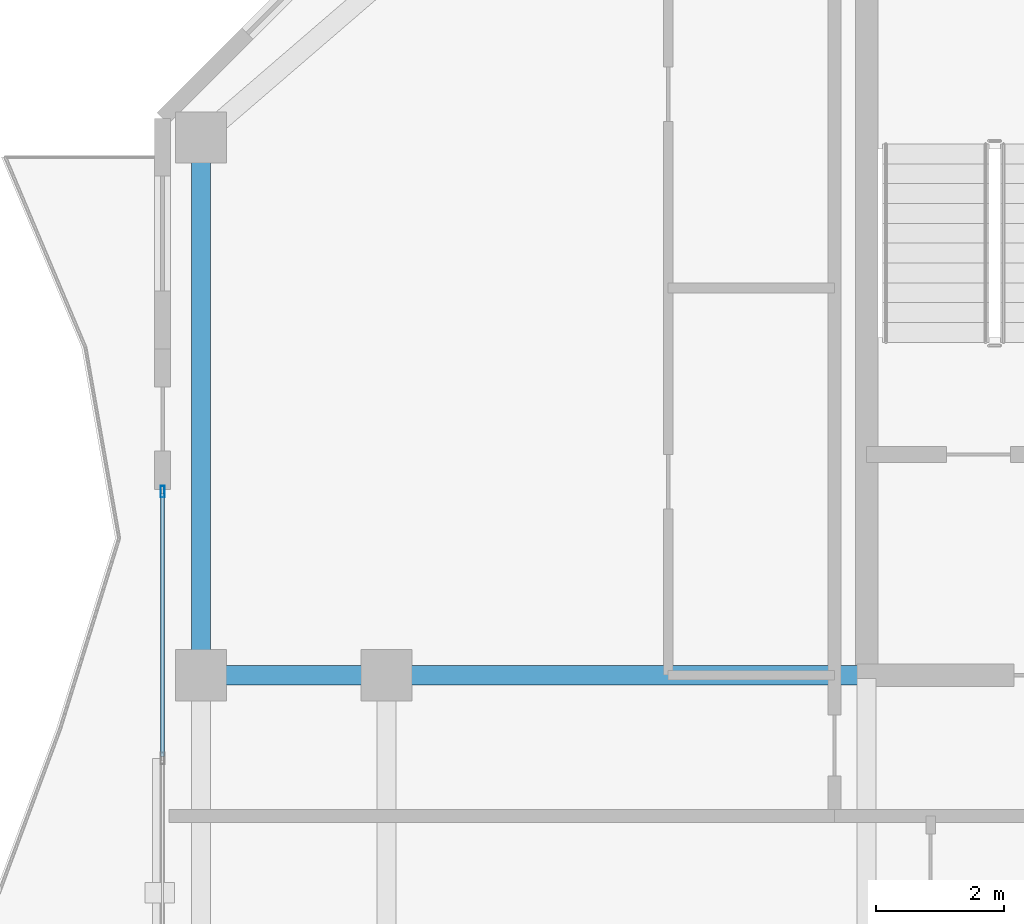
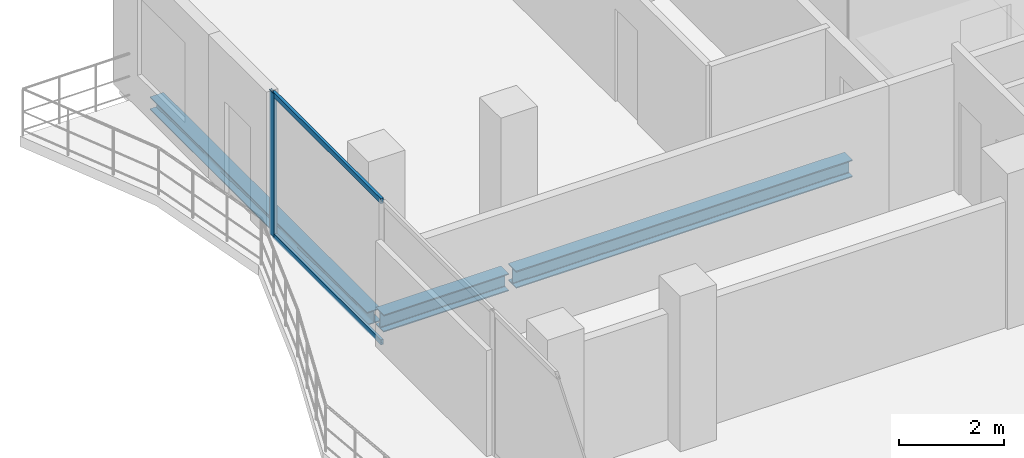
# One storey, part 9 of 23: 3 beams, 3 members, 1 element without a shape of its own.
"""IFC4 building model written with IfcOpenShell, lengths in metres."""

from ifc_helpers import new_model, si_unit, direction, frame, origin, origin_2d, place, context, subcontext, project, spatial, hollow_rectangle, i_section, extrude, material, layer, layer_set, material_profile, profile_set, type_object, element, aggregate, save


model = new_model("IFC4")

# Units and contexts
model_context = context("Model", 3, precision=1e-05, world=origin(), true_north=direction((0.0, 1.0)))
body_context = subcontext(model_context, "Body", "Model", "MODEL_VIEW")
ifc_project = project(units=[si_unit("LENGTHUNIT", "METRE"), si_unit("AREAUNIT", "SQUARE_METRE"), si_unit("VOLUMEUNIT", "CUBIC_METRE"), si_unit("PLANEANGLEUNIT", "RADIAN"), si_unit("MASSUNIT", "GRAM", prefix="KILO")], contexts=[model_context])

# Site, building, storey
site_placement = place(None, origin())
site = spatial("IfcSite", under=ifc_project, at=site_placement, CompositionType="ELEMENT")
building_placement = place(site_placement, origin())
building = spatial("IfcBuilding", under=site, at=building_placement, Name="Catumbela Crestline Tower", CompositionType="ELEMENT")
storey_placement = place(building_placement, frame((0.0, 0.0, 179.4)))
storey = spatial("IfcBuildingStorey", under=building, at=storey_placement, Name="L46", CompositionType="ELEMENT", Elevation=179.4)

# Beams
ifc_material_1 = material(Name="Structural steel S355J2", Category="steel")
ifc_material_profile_1 = material_profile(ifc_material_1, i_section(OverallWidth=0.3, OverallDepth=0.4, WebThickness=0.0135, FlangeThickness=0.024, FilletRadius=0.027, at=origin_2d()), Name="HEB 400")
ifc_profile_set_1 = profile_set([ifc_material_profile_1], Name="Structural steel S355J2")
beam_type_1 = type_object("IfcBeamType", Name="BG-HEB400", PredefinedType="BEAM", material=ifc_profile_set_1)
beam_1_placement = place(storey_placement, frame((5.68, 30.8, -0.46), z_axis=(1.0, 0.0, 0.0), x_axis=(0.0, 1.0, 0.0)))
element("IfcBeam", 1, at=beam_1_placement, inside=storey, type_object=beam_type_1, Name="L46 Beam BM-L46-M06", PredefinedType="BEAM", context=body_context, shape_type="SweptSolid", body=[
    extrude(i_section(OverallWidth=0.3, OverallDepth=0.4, WebThickness=0.0135, FlangeThickness=0.024, FilletRadius=0.027, at=origin_2d()), origin(), (0.0, 0.0, 1.0), 2.74),
])
beam_2_placement = place(storey_placement, frame((8.58, 30.8, -0.46), z_axis=(1.0, 0.0, 0.0), x_axis=(0.0, 1.0, 0.0)))
element("IfcBeam", 2, at=beam_2_placement, inside=storey, type_object=beam_type_1, Name="L46 Beam BM-L46-M07", PredefinedType="BEAM", context=body_context, shape_type="SweptSolid", body=[
    extrude(i_section(OverallWidth=0.3, OverallDepth=0.4, WebThickness=0.0135, FlangeThickness=0.024, FilletRadius=0.027, at=origin_2d()), origin(), (0.0, 0.0, 1.0), 7.37),
])

# Curtain wall, member
ifc_material_2 = material(Name="Aluminium alloy AW-6060-T66", Category="aluminium")
ifc_layer = layer(ifc_material_2, 0.18, Name="Aluminium alloy AW-6060-T66")
ifc_layer_set = layer_set([ifc_layer], Name="Aluminium alloy AW-6060-T66")
curtain_wall_type = type_object("IfcCurtainWallType", Name="CWU-Z3", PredefinedType="USERDEFINED", material=ifc_layer_set)
curtain_wall_placement = place(storey_placement, origin())
curtain_wall = element("IfcCurtainWall", 3, at=curtain_wall_placement, inside=storey, type_object=curtain_wall_type, Name="L46 Unitised Curtain Wall CW-L46-E9S2", ObjectType="UNITISED", PredefinedType="USERDEFINED")
ifc_material_profile_2 = material_profile(ifc_material_2, hollow_rectangle(XDim=0.065, YDim=0.18, WallThickness=0.004, at=origin_2d()), Name="ALU 180x65x4")
ifc_profile_set_2 = profile_set([ifc_material_profile_2], Name="Aluminium alloy AW-6060-T66")
member_type_1 = type_object("IfcMemberType", Name="MUL-180X65", PredefinedType="MULLION", material=ifc_profile_set_2)
member_1_placement = place(storey_placement, frame((5.0, 33.6675, 0.0), z_axis=(0.0, 0.0, 1.0), x_axis=(1.0, 0.0, 0.0)))
member_1 = element("IfcMember", 4, at=member_1_placement, type_object=member_type_1, Name="CWU-Z3 mullion 1", PredefinedType="MULLION", context=body_context, shape_type="SweptSolid", body=[
    extrude(hollow_rectangle(XDim=0.065, YDim=0.18, WallThickness=0.004, at=origin_2d()), origin(), (0.0, 0.0, 1.0), 3.33),
])

# Beam
ifc_material_profile_3 = material_profile(ifc_material_1, i_section(OverallWidth=0.3, OverallDepth=0.3, WebThickness=0.011, FlangeThickness=0.019, FilletRadius=0.027, at=origin_2d()), Name="HEB 300")
ifc_profile_set_3 = profile_set([ifc_material_profile_3], Name="Structural steel S355J2")
beam_type_2 = type_object("IfcBeamType", Name="BS-HEB300", PredefinedType="SPANDREL", material=ifc_profile_set_3)
beam_3_placement = place(storey_placement, frame((5.6, 30.88, -0.41), z_axis=(0.0, 1.0, 0.0), x_axis=(-1.0, 0.0, 0.0)))
element("IfcBeam", 5, at=beam_3_placement, inside=storey, type_object=beam_type_2, Name="L46 Spandrel SP-L46-SN15", PredefinedType="SPANDREL", context=body_context, shape_type="SweptSolid", body=[
    extrude(i_section(OverallWidth=0.3, OverallDepth=0.3, WebThickness=0.011, FlangeThickness=0.019, FilletRadius=0.027, at=origin_2d()), origin(), (0.0, 0.0, 1.0), 8.24),
])

# Member
ifc_material_profile_4 = material_profile(ifc_material_2, hollow_rectangle(XDim=0.06, YDim=0.12, WallThickness=0.0035, at=origin_2d()), Name="ALU 120x60x3.5")
ifc_profile_set_4 = profile_set([ifc_material_profile_4], Name="Aluminium alloy AW-6060-T66")
member_type_2 = type_object("IfcMemberType", Name="TRN-120X60", PredefinedType="USERDEFINED", material=ifc_profile_set_4)
member_2_placement = place(storey_placement, frame((5.0, 33.635, 0.03), z_axis=(0.0, -1.0, 0.0), x_axis=(1.0, 0.0, 0.0)))
member_2 = element("IfcMember", 6, at=member_2_placement, type_object=member_type_2, Name="CWU-Z3 transom 1.1", ObjectType="TRANSOM", PredefinedType="USERDEFINED", context=body_context, shape_type="SweptSolid", body=[
    extrude(hollow_rectangle(XDim=0.06, YDim=0.12, WallThickness=0.0035, at=origin_2d()), origin(), (0.0, 0.0, 1.0), 4.1025),
])

member_3_placement = place(storey_placement, frame((5.0, 33.635, 3.3), z_axis=(0.0, -1.0, 0.0), x_axis=(1.0, 0.0, 0.0)))
member_3 = element("IfcMember", 7, at=member_3_placement, type_object=member_type_2, Name="CWU-Z3 transom 1.2", ObjectType="TRANSOM", PredefinedType="USERDEFINED", context=body_context, shape_type="SweptSolid", body=[
    extrude(hollow_rectangle(XDim=0.06, YDim=0.12, WallThickness=0.0035, at=origin_2d()), origin(), (0.0, 0.0, 1.0), 4.1025),
])

aggregate(curtain_wall, [member_1, member_2, member_3])

save(model, "model.ifc")
